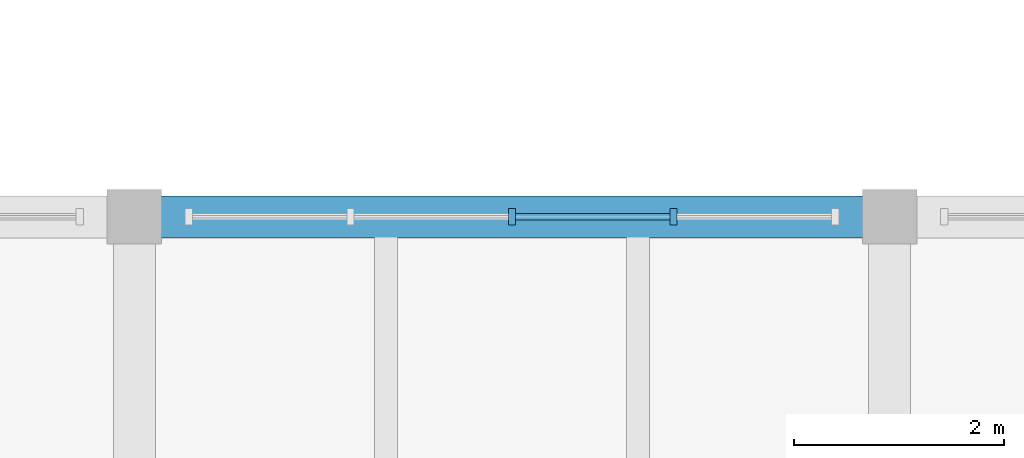
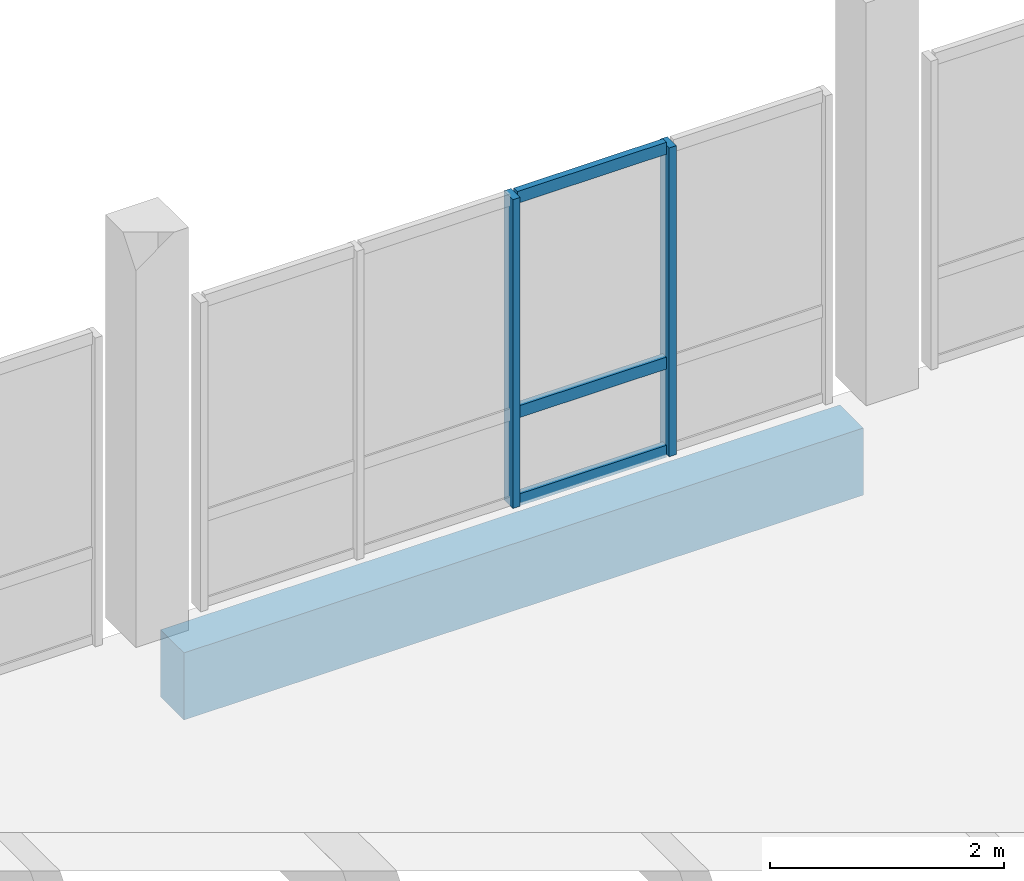
# One storey, part 36 of 72: 5 members, 1 beam, 1 element without a shape of its own.
"""IFC4 building model written with IfcOpenShell, lengths in metres."""

from ifc_helpers import new_model, si_unit, direction, frame, origin, origin_2d, place, context, subcontext, project, spatial, rectangle, extrude, material, material_profile, profile_set, type_object, element, aggregate, save


model = new_model("IFC4")

# Units and contexts
model_context = context("Model", 3, precision=1e-05, world=origin(), true_north=direction((0.0, 1.0)))
body_context = subcontext(model_context, "Body", "Model", "MODEL_VIEW")
ifc_project = project(units=[si_unit("LENGTHUNIT", "METRE"), si_unit("AREAUNIT", "SQUARE_METRE"), si_unit("VOLUMEUNIT", "CUBIC_METRE"), si_unit("PLANEANGLEUNIT", "RADIAN"), si_unit("MASSUNIT", "GRAM", prefix="KILO")], contexts=[model_context])

# Site, building, storey
site_placement = place(None, origin())
site = spatial("IfcSite", under=ifc_project, at=site_placement, CompositionType="ELEMENT")
building_placement = place(site_placement, origin())
building = spatial("IfcBuilding", under=site, at=building_placement, Name="Qiaolan Assembly House", CompositionType="ELEMENT")
storey_placement = place(building_placement, frame((0.0, 0.0, 10.199951171875)))
storey = spatial("IfcBuildingStorey", under=building, at=storey_placement, Name="L02", CompositionType="ELEMENT", Elevation=10.199951171875)

# Beam
ifc_material_1 = material(Name="Concrete C40/50", Category="concrete")
ifc_material_profile_1 = material_profile(ifc_material_1, rectangle(XDim=0.39990234375, YDim=0.699951171875, at=origin_2d()), Name="RCB 400x700")
ifc_profile_set_1 = profile_set([ifc_material_profile_1], Name="Concrete C40/50")
beam_type = type_object("IfcBeamType", Name="BM-RC-400x700", PredefinedType="BEAM", material=ifc_profile_set_1)
beam_placement = place(storey_placement, frame((122.64990234375, 86.39990234375, -0.619873046875), z_axis=(1.0, 0.0, 0.0), x_axis=(0.0, 1.0, 0.0)))
element("IfcBeam", 1, at=beam_placement, inside=storey, type_object=beam_type, Name="GB-05 beam BMX-CLN-L02-02-01", PredefinedType="BEAM", context=body_context, shape_type="SweptSolid", body=[
    extrude(rectangle(XDim=0.39990234375, YDim=0.699951171875, at=origin_2d()), origin(), (0.0, 0.0, 1.0), 6.7001953125),
])

# Curtain wall, members
ifc_material_2 = material(Name="Anodised bronze aluminium", Category="aluminium")
curtain_wall_type = type_object("IfcCurtainWallType", Name="CW-CLOISTER-420", PredefinedType="NOTDEFINED", material=ifc_material_2)
curtain_wall_placement = place(storey_placement, origin())
curtain_wall = element("IfcCurtainWall", 2, at=curtain_wall_placement, inside=storey, type_object=curtain_wall_type, Name="CW-05 North Cloister outer arcade L02-3", PredefinedType="NOTDEFINED")
ifc_material_profile_2 = material_profile(ifc_material_2, rectangle(XDim=0.070068359375, YDim=0.155029296875, at=origin_2d()), Name="MUL 70x155")
ifc_profile_set_2 = profile_set([ifc_material_profile_2], Name="Anodised bronze aluminium")
member_type_1 = type_object("IfcMemberType", Name="CW-CLOISTER-420-MUL", PredefinedType="MULLION", material=ifc_profile_set_2)
member_1_placement = place(storey_placement, frame((127.5400390625, 86.39990234375, 0.0), z_axis=(0.0, 0.0, 1.0), x_axis=(-1.0, 0.0, 0.0)))
member_1 = element("IfcMember", 3, at=member_1_placement, type_object=member_type_1, Name="ML-06 mullion CW-CLN-OUT-L02-2-2", PredefinedType="MULLION", context=body_context, shape_type="SweptSolid", body=[
    extrude(rectangle(XDim=0.070068359375, YDim=0.155029296875, at=origin_2d()), origin(), (0.0, 0.0, 1.0), 3.219970703125),
])
member_2_placement = place(storey_placement, frame((126.0, 86.39990234375, 0.0), z_axis=(0.0, 0.0, 1.0), x_axis=(-1.0, 0.0, 0.0)))
member_2 = element("IfcMember", 4, at=member_2_placement, type_object=member_type_1, Name="ML-06 mullion CW-CLN-OUT-L02-2-3", PredefinedType="MULLION", context=body_context, shape_type="SweptSolid", body=[
    extrude(rectangle(XDim=0.070068359375, YDim=0.155029296875, at=origin_2d()), origin(), (0.0, 0.0, 1.0), 3.219970703125),
])
ifc_material_profile_3 = material_profile(ifc_material_2, rectangle(XDim=0.06201171875, YDim=0.125, at=origin_2d()), Name="TRN 62x125")
ifc_profile_set_3 = profile_set([ifc_material_profile_3], Name="Anodised bronze aluminium")
member_type_2 = type_object("IfcMemberType", Name="CW-CLOISTER-420-TRN", PredefinedType="USERDEFINED", material=ifc_profile_set_3)
member_3_placement = place(storey_placement, frame((127.5048828125, 86.39990234375, 0.030029296875), z_axis=(-1.0, 0.0, 0.0), x_axis=(0.0, -1.0, 0.0)))
member_3 = element("IfcMember", 5, at=member_3_placement, type_object=member_type_2, Name="TR-06 transom CW-CLN-OUT-L02-2-2-1", ObjectType="TRANSOM", PredefinedType="USERDEFINED", context=body_context, shape_type="SweptSolid", body=[
    extrude(rectangle(XDim=0.06201171875, YDim=0.125, at=origin_2d()), origin(), (0.0, 0.0, 1.0), 1.469970703125),
])
member_4_placement = place(storey_placement, frame((127.5048828125, 86.39990234375, 0.949951171875), z_axis=(-1.0, 0.0, 0.0), x_axis=(0.0, -1.0, 0.0)))
member_4 = element("IfcMember", 6, at=member_4_placement, type_object=member_type_2, Name="TR-06 transom CW-CLN-OUT-L02-2-2-2", ObjectType="TRANSOM", PredefinedType="USERDEFINED", context=body_context, shape_type="SweptSolid", body=[
    extrude(rectangle(XDim=0.06201171875, YDim=0.125, at=origin_2d()), origin(), (0.0, 0.0, 1.0), 1.469970703125),
])
member_5_placement = place(storey_placement, frame((127.5048828125, 86.39990234375, 3.18994140625), z_axis=(-1.0, 0.0, 0.0), x_axis=(0.0, -1.0, 0.0)))
member_5 = element("IfcMember", 7, at=member_5_placement, type_object=member_type_2, Name="TR-06 transom CW-CLN-OUT-L02-2-2-3", ObjectType="TRANSOM", PredefinedType="USERDEFINED", context=body_context, shape_type="SweptSolid", body=[
    extrude(rectangle(XDim=0.06201171875, YDim=0.125, at=origin_2d()), origin(), (0.0, 0.0, 1.0), 1.469970703125),
])
aggregate(curtain_wall, [member_1, member_2, member_3, member_4, member_5])

save(model, "model.ifc")
